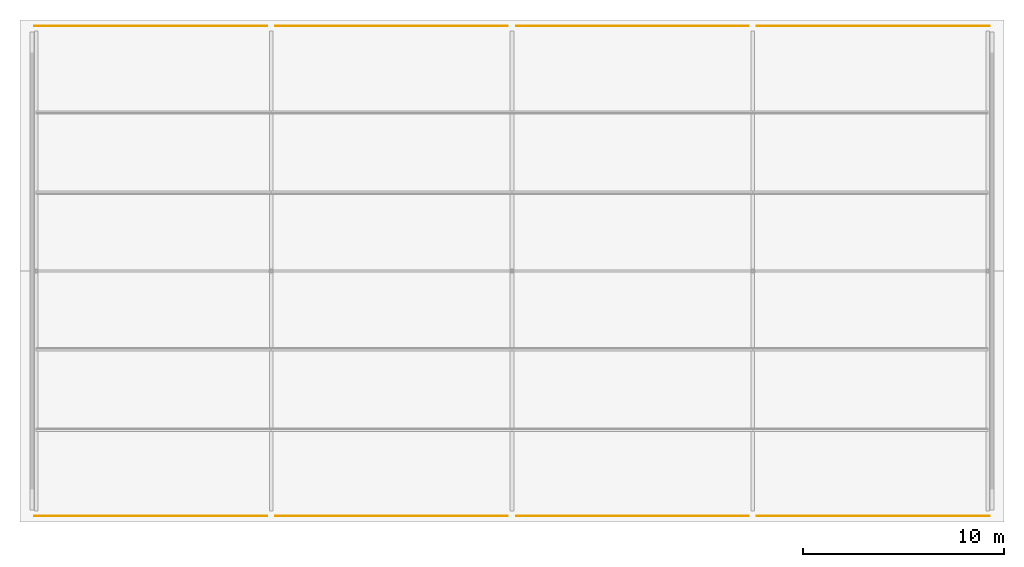
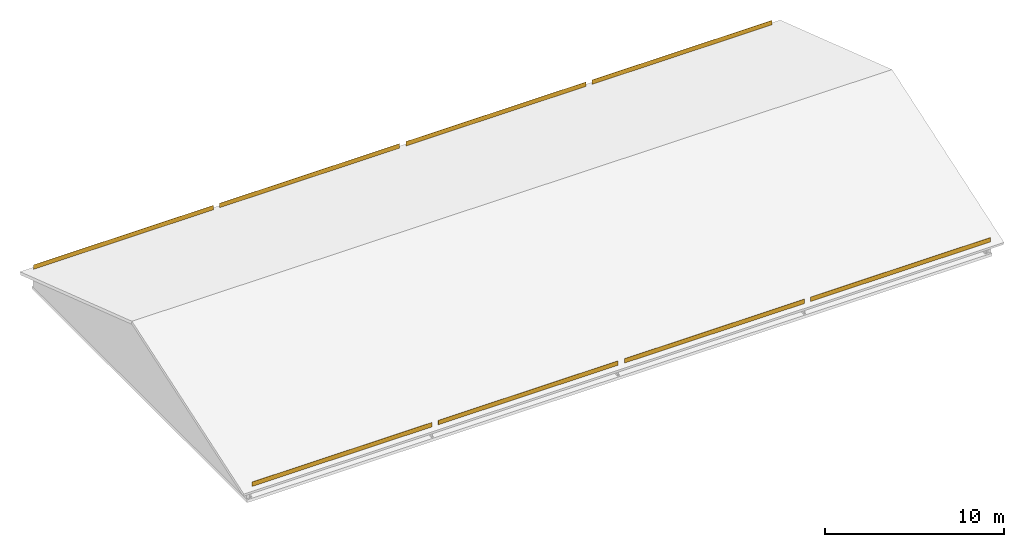
# One storey, part 12 of 12: 8 coverings.
"""IFC4 building model written with IfcOpenShell, lengths in metres."""

from ifc_helpers import new_model, si_unit, direction, frame, origin, origin_2d, place, context, subcontext, project, spatial, rectangle, extrude, material, layer, layer_set, type_object, element, save


model = new_model("IFC4")

# Units and contexts
model_context = context("Model", 3, precision=1e-05, world=origin(), true_north=direction((0.0, 1.0)))
body_context = subcontext(model_context, "Body", "Model", "MODEL_VIEW")
ifc_project = project(units=[si_unit("LENGTHUNIT", "METRE"), si_unit("AREAUNIT", "SQUARE_METRE"), si_unit("VOLUMEUNIT", "CUBIC_METRE"), si_unit("PLANEANGLEUNIT", "RADIAN"), si_unit("MASSUNIT", "GRAM", prefix="KILO")], contexts=[model_context])

# Site, building, storey
site_placement = place(None, origin())
site = spatial("IfcSite", under=ifc_project, at=site_placement, CompositionType="ELEMENT")
building_placement = place(site_placement, origin())
building = spatial("IfcBuilding", under=site, at=building_placement, Name="Lilac Gate Convention Centre", CompositionType="ELEMENT")
storey_placement = place(building_placement, frame((0.0, 0.0, 71.39990234375)))
storey = spatial("IfcBuildingStorey", under=building, at=storey_placement, Name="Roof", CompositionType="ELEMENT", Elevation=71.39990234375)

# Coverings
ifc_material = material(Name="Steel Q355B", Category="steel")
ifc_layer = layer(ifc_material, 0.011962890625)
ifc_layer_set = layer_set([ifc_layer], Name="Steel Q355B")
covering_type = type_object("IfcCoveringType", Name="Snow guard bar 12 x 300", PredefinedType="ROOFING", material=ifc_layer_set)
for number, where, z_axis, x_axis, name in (
    (1, (48.0, 221.800048828125, 0.966796875), (0.0, 0.0, 1.0), (1.0, 0.0, 0.0), "Snow guard crown eave S1"),
    (2, (60.0, 221.800048828125, 0.966796875), (0.0, 0.0, 1.0), (1.0, 0.0, 0.0), "Snow guard crown eave S2"),
    (3, (72.0, 221.800048828125, 0.966796875), (0.0, 0.0, 1.0), (1.0, 0.0, 0.0), "Snow guard crown eave S3"),
    (4, (84.0, 221.800048828125, 0.966796875), (0.0, 0.0, 1.0), (1.0, 0.0, 0.0), "Snow guard crown eave S4"),
    (5, (48.0, 246.199951171875, 0.966796875), (0.0, 0.0, 1.0), (1.0, 0.0, 0.0), "Snow guard crown eave N1"),
    (6, (60.0, 246.199951171875, 0.966796875), (0.0, 0.0, 1.0), (1.0, 0.0, 0.0), "Snow guard crown eave N2"),
    (7, (72.0, 246.199951171875, 0.966796875), (0.0, 0.0, 1.0), (1.0, 0.0, 0.0), "Snow guard crown eave N3"),
    (8, (84.0, 246.199951171875, 0.966796875), (0.0, 0.0, 1.0), (1.0, 0.0, 0.0), "Snow guard crown eave N4"),
):
    element("IfcCovering", number, at=place(storey_placement, frame(where, z_axis=z_axis, x_axis=x_axis)), inside=storey, type_object=covering_type, Name=name, PredefinedType="ROOFING", context=body_context, shape_type="SweptSolid", body=[
        extrude(rectangle(XDim=11.60009765625, YDim=0.011962890625, at=origin_2d()), origin(), (0.0, 0.0, 1.0), 0.300048828125),
    ])

save(model, "model.ifc")
